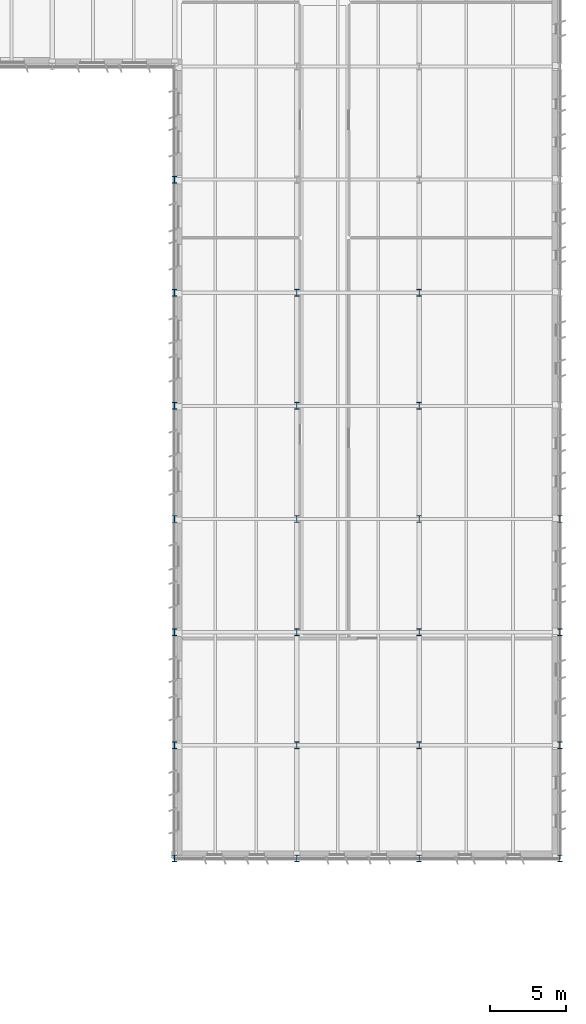
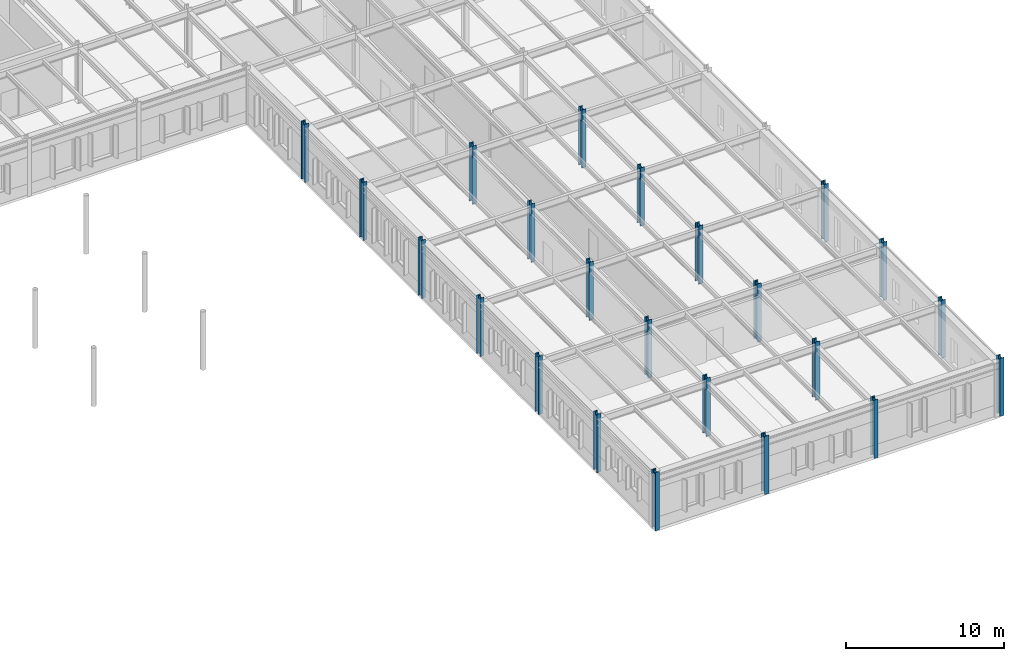
# One storey, part 13 of 75: 23 columns.
"""IFC4 building model written with IfcOpenShell, lengths in metres."""

from ifc_helpers import new_model, si_unit, direction, frame, origin, origin_2d, place, context, subcontext, project, spatial, i_section, extrude, material, material_profile, profile_set, type_object, element, save


model = new_model("IFC4")

# Units and contexts
model_context = context("Model", 3, precision=1e-05, world=origin(), true_north=direction((0.0, 1.0)))
body_context = subcontext(model_context, "Body", "Model", "MODEL_VIEW")
ifc_project = project(units=[si_unit("LENGTHUNIT", "METRE"), si_unit("AREAUNIT", "SQUARE_METRE"), si_unit("VOLUMEUNIT", "CUBIC_METRE"), si_unit("PLANEANGLEUNIT", "RADIAN"), si_unit("MASSUNIT", "GRAM", prefix="KILO")], contexts=[model_context])

# Site, building, storey
site_placement = place(None, origin())
site = spatial("IfcSite", under=ifc_project, at=site_placement, CompositionType="ELEMENT")
building_placement = place(site_placement, origin())
building = spatial("IfcBuilding", under=site, at=building_placement, Name="Valkorina Park Police Headquarters", CompositionType="ELEMENT")
storey_placement = place(building_placement, frame((0.0, 0.0, 5.39990234375)))
storey = spatial("IfcBuildingStorey", under=building, at=storey_placement, Name="L02", CompositionType="ELEMENT", Elevation=5.39990234375)

# Columns
ifc_material = material(Name="Steel S355", Category="steel")
ifc_material_profile_1 = material_profile(ifc_material, i_section(OverallWidth=0.300048828125, OverallDepth=0.449951171875, WebThickness=0.013916015625, FlangeThickness=0.02587890625, FilletRadius=0.027099609375, at=origin_2d()), Name="HEB 450")
ifc_profile_set_1 = profile_set([ifc_material_profile_1], Name="Steel S355")
column_type_1 = type_object("IfcColumnType", Name="COL-S355-HEB450-EXT", PredefinedType="COLUMN", material=ifc_profile_set_1)
for number, where, z_axis, x_axis, name in (
    (1, (136.800048828125, 7.39990234375, 0.0), (0.0, 0.0, 1.0), (1.0, 0.0, 0.0), "L02 Column 0676"),
    (2, (136.800048828125, 14.800048828125, 0.0), (0.0, 0.0, 1.0), (1.0, 0.0, 0.0), "L02 Column 0677"),
    (3, (136.800048828125, 22.199951171875, 0.0), (0.0, 0.0, 1.0), (1.0, 0.0, 0.0), "L02 Column 0678"),
    (4, (136.800048828125, 29.60009765625, 0.0), (0.0, 0.0, 1.0), (1.0, 0.0, 0.0), "L02 Column 0679"),
    (5, (136.800048828125, 37.0, 0.0), (0.0, 0.0, 1.0), (1.0, 0.0, 0.0), "L02 Column 0680"),
    (6, (136.800048828125, 44.39990234375, 0.0), (0.0, 0.0, 1.0), (1.0, 0.0, 0.0), "L02 Column 0681"),
    (7, (136.800048828125, 51.800048828125, 0.0), (0.0, 0.0, 1.0), (1.0, 0.0, 0.0), "L02 Column 0682"),
    (8, (144.800048828125, 7.39990234375, 0.0), (0.0, 0.0, 1.0), (1.0, 0.0, 0.0), "L02 Column 0688"),
    (9, (152.800048828125, 7.39990234375, 0.0), (0.0, 0.0, 1.0), (1.0, 0.0, 0.0), "L02 Column 0700"),
    (10, (162.0, 7.39990234375, 0.0), (0.0, 0.0, 1.0), (1.0, 0.0, 0.0), "L02 Column 0712"),
    (11, (162.0, 14.800048828125, 0.0), (0.0, 0.0, 1.0), (1.0, 0.0, 0.0), "L02 Column 0713"),
    (12, (162.0, 22.199951171875, 0.0), (0.0, 0.0, 1.0), (1.0, 0.0, 0.0), "L02 Column 0714"),
    (13, (162.0, 29.60009765625, 0.0), (0.0, 0.0, 1.0), (1.0, 0.0, 0.0), "L02 Column 0715"),
):
    element("IfcColumn", number, at=place(storey_placement, frame(where, z_axis=z_axis, x_axis=x_axis)), inside=storey, type_object=column_type_1, Name=name, PredefinedType="COLUMN", context=body_context, shape_type="SweptSolid", body=[
        extrude(i_section(OverallWidth=0.300048828125, OverallDepth=0.449951171875, WebThickness=0.013916015625, FlangeThickness=0.02587890625, FilletRadius=0.027099609375, at=origin_2d()), origin(), (0.0, 0.0, 1.0), 4.5),
    ])
ifc_material_profile_2 = material_profile(ifc_material, i_section(OverallWidth=0.300048828125, OverallDepth=0.449951171875, WebThickness=0.013916015625, FlangeThickness=0.02587890625, FilletRadius=0.027099609375, at=origin_2d()), Name="HEB 450")
ifc_profile_set_2 = profile_set([ifc_material_profile_2], Name="Steel S355")
column_type_2 = type_object("IfcColumnType", Name="COL-S355-HEB450-INT", PredefinedType="COLUMN", material=ifc_profile_set_2)
for number, where, z_axis, x_axis, name in (
    (14, (144.800048828125, 14.800048828125, 0.0), (0.0, 0.0, 1.0), (1.0, 0.0, 0.0), "L02 Column 0689"),
    (15, (144.800048828125, 22.199951171875, 0.0), (0.0, 0.0, 1.0), (1.0, 0.0, 0.0), "L02 Column 0690"),
    (16, (144.800048828125, 29.60009765625, 0.0), (0.0, 0.0, 1.0), (1.0, 0.0, 0.0), "L02 Column 0691"),
    (17, (144.800048828125, 37.0, 0.0), (0.0, 0.0, 1.0), (1.0, 0.0, 0.0), "L02 Column 0692"),
    (18, (144.800048828125, 44.39990234375, 0.0), (0.0, 0.0, 1.0), (1.0, 0.0, 0.0), "L02 Column 0693"),
    (19, (152.800048828125, 14.800048828125, 0.0), (0.0, 0.0, 1.0), (1.0, 0.0, 0.0), "L02 Column 0701"),
    (20, (152.800048828125, 22.199951171875, 0.0), (0.0, 0.0, 1.0), (1.0, 0.0, 0.0), "L02 Column 0702"),
    (21, (152.800048828125, 29.60009765625, 0.0), (0.0, 0.0, 1.0), (1.0, 0.0, 0.0), "L02 Column 0703"),
    (22, (152.800048828125, 37.0, 0.0), (0.0, 0.0, 1.0), (1.0, 0.0, 0.0), "L02 Column 0704"),
    (23, (152.800048828125, 44.39990234375, 0.0), (0.0, 0.0, 1.0), (1.0, 0.0, 0.0), "L02 Column 0705"),
):
    element("IfcColumn", number, at=place(storey_placement, frame(where, z_axis=z_axis, x_axis=x_axis)), inside=storey, type_object=column_type_2, Name=name, PredefinedType="COLUMN", context=body_context, shape_type="SweptSolid", body=[
        extrude(i_section(OverallWidth=0.300048828125, OverallDepth=0.449951171875, WebThickness=0.013916015625, FlangeThickness=0.02587890625, FilletRadius=0.027099609375, at=origin_2d()), origin(), (0.0, 0.0, 1.0), 4.5),
    ])

save(model, "model.ifc")
